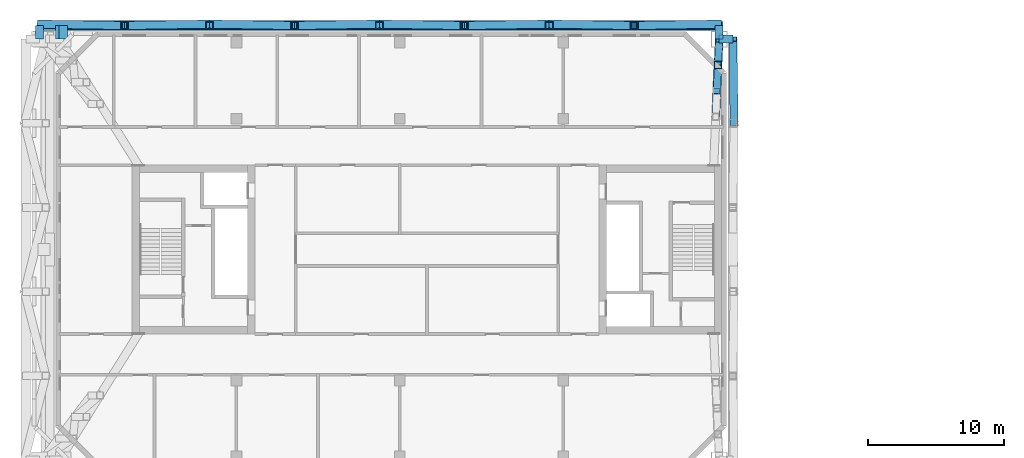
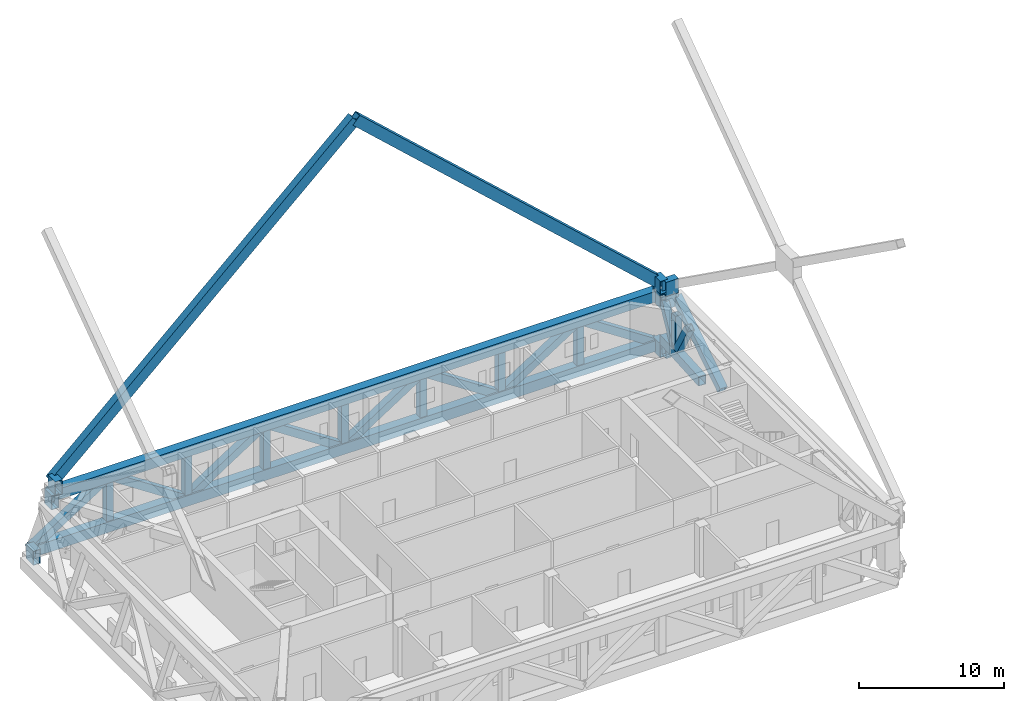
# One storey, part 3 of 22: 21 members, 12 beams.
"""IFC4 building model written with IfcOpenShell, lengths in metres."""

from ifc_helpers import new_model, si_unit, direction, frame, origin, origin_2d, place, context, subcontext, project, spatial, hollow_rectangle, extrude, material, material_profile, profile_set, type_object, element, save


model = new_model("IFC4")

# Units and contexts
model_context = context("Model", 3, precision=1e-05, world=origin(), true_north=direction((0.0, 1.0)))
body_context = subcontext(model_context, "Body", "Model", "MODEL_VIEW")
ifc_project = project(units=[si_unit("LENGTHUNIT", "METRE"), si_unit("AREAUNIT", "SQUARE_METRE"), si_unit("VOLUMEUNIT", "CUBIC_METRE"), si_unit("PLANEANGLEUNIT", "RADIAN"), si_unit("MASSUNIT", "GRAM", prefix="KILO")], contexts=[model_context])

# Site, building, storey
site_placement = place(None, origin())
site = spatial("IfcSite", under=ifc_project, at=site_placement, CompositionType="ELEMENT")
building_placement = place(site_placement, origin())
building = spatial("IfcBuilding", under=site, at=building_placement, Name="Tuart Gate Housing", CompositionType="ELEMENT")
storey_placement = place(building_placement, frame((0.0, 0.0, 115.0)))
storey = spatial("IfcBuildingStorey", under=building, at=storey_placement, Name="L32", CompositionType="ELEMENT", Elevation=115.0)

# Beam
ifc_material_1 = material(Name="Steel Grade 350", Category="steel")
ifc_material_profile_1 = material_profile(ifc_material_1, hollow_rectangle(XDim=0.699951171875, YDim=0.89990234375, WallThickness=0.0400390625, at=origin_2d()), Name="BOX 900x700x40")
ifc_profile_set_1 = profile_set([ifc_material_profile_1], Name="Steel Grade 350")
beam_type_1 = type_object("IfcBeamType", Name="Belt truss chord BOX 900x700x40 (40.9-51.9 m)", PredefinedType="BEAM", material=ifc_profile_set_1)
beam_1_placement = place(storey_placement, frame((27.00830078125, 86.449951171875, 3.75), z_axis=(1.0, 0.0, 0.0), x_axis=(0.0, 1.0, 0.0)))
element("IfcBeam", 1, at=beam_1_placement, inside=storey, type_object=beam_type_1, Name="Belt truss top chord A north L32", PredefinedType="BEAM", context=body_context, shape_type="SweptSolid", body=[
    extrude(hollow_rectangle(XDim=0.699951171875, YDim=0.89990234375, WallThickness=0.0400390625, at=origin_2d()), origin(), (0.0, 0.0, 1.0), 48.441650390625),
])

# Members
ifc_material_2 = material(Name="Steel Grade 350", Category="steel")
ifc_material_profile_2 = material_profile(ifc_material_2, hollow_rectangle(XDim=0.60009765625, YDim=0.60009765625, WallThickness=0.031982421875, at=origin_2d()), Name="BOX 600x600x32")
ifc_profile_set_2 = profile_set([ifc_material_profile_2], Name="Steel Grade 350")
member_type_1 = type_object("IfcMemberType", Name="Belt truss diagonal BOX 600x600x32", PredefinedType="BRACE", material=ifc_profile_set_2)
member_1_placement = place(storey_placement, frame((25.550048828125, 86.550048828125, -0.39990234375), z_axis=(0.832497021316, -0.013359574885, 0.553868424139), x_axis=(0.016045528886, 0.999871262215, 0.0)))
element("IfcMember", 2, at=member_1_placement, inside=storey, type_object=member_type_1, Name="Belt truss diagonal A north 0 L32", PredefinedType="BRACE", context=body_context, shape_type="SweptSolid", body=[
    extrude(hollow_rectangle(XDim=0.60009765625, YDim=0.60009765625, WallThickness=0.031982421875, at=origin_2d()), origin(), (0.0, 0.0, 1.0), 7.49267578125),
])
member_2_placement = place(storey_placement, frame((31.78759765625, 86.449951171875, 3.75), z_axis=(0.832487019192, 0.013359937289, -0.553883448889), x_axis=(-0.016046156778, 0.999871252138, 0.0)))
element("IfcMember", 3, at=member_2_placement, inside=storey, type_object=member_type_1, Name="Belt truss diagonal A north 1 L32", PredefinedType="BRACE", context=body_context, shape_type="SweptSolid", body=[
    extrude(hollow_rectangle(XDim=0.60009765625, YDim=0.60009765625, WallThickness=0.031982421875, at=origin_2d()), origin(), (0.0, 0.0, 1.0), 7.492431640625),
])
for number, where, z_axis, x_axis, name in (
    (4, (38.02490234375, 86.550048828125, -0.39990234375), (0.832497021316, -0.013359574885, 0.553868424139), (0.016045528886, 0.999871262215, 0.0), "Belt truss diagonal A north 2 L32"),
    (5, (44.262451171875, 86.449951171875, 3.75), (0.832497021316, 0.013359574885, -0.553868424139), (-0.016045528886, 0.999871262215, 0.0), "Belt truss diagonal A north 3 L32"),
    (6, (50.5, 86.550048828125, -0.39990234375), (0.832497021316, -0.013359574885, 0.553868424139), (0.016045528886, 0.999871262215, 0.0), "Belt truss diagonal A north 4 L32"),
    (7, (56.737548828125, 86.449951171875, 3.75), (0.832497021316, 0.013359574885, -0.553868424139), (-0.016045528886, 0.999871262215, 0.0), "Belt truss diagonal A north 5 L32"),
):
    element("IfcMember", number, at=place(storey_placement, frame(where, z_axis=z_axis, x_axis=x_axis)), inside=storey, type_object=member_type_1, Name=name, PredefinedType="BRACE", context=body_context, shape_type="SweptSolid", body=[
        extrude(hollow_rectangle(XDim=0.60009765625, YDim=0.60009765625, WallThickness=0.031982421875, at=origin_2d()), origin(), (0.0, 0.0, 1.0), 7.49267578125),
    ])
member_3_placement = place(storey_placement, frame((62.97509765625, 86.550048828125, -0.39990234375), z_axis=(0.832487019192, -0.013359937289, 0.553883448889), x_axis=(0.016046156778, 0.999871252138, 0.0)))
element("IfcMember", 8, at=member_3_placement, inside=storey, type_object=member_type_1, Name="Belt truss diagonal A north 6 L32", PredefinedType="BRACE", context=body_context, shape_type="SweptSolid", body=[
    extrude(hollow_rectangle(XDim=0.60009765625, YDim=0.60009765625, WallThickness=0.031982421875, at=origin_2d()), origin(), (0.0, 0.0, 1.0), 7.492431640625),
])
member_4_placement = place(storey_placement, frame((69.21240234375, 86.449951171875, 3.75), z_axis=(0.832497021316, 0.013359574885, -0.553868424139), x_axis=(-0.016045528886, 0.999871262215, 0.0)))
element("IfcMember", 9, at=member_4_placement, inside=storey, type_object=member_type_1, Name="Belt truss diagonal A north 7 L32", PredefinedType="BRACE", context=body_context, shape_type="SweptSolid", body=[
    extrude(hollow_rectangle(XDim=0.60009765625, YDim=0.60009765625, WallThickness=0.031982421875, at=origin_2d()), origin(), (0.0, 0.0, 1.0), 7.49267578125),
])
member_5_placement = place(storey_placement, frame((76.550048828125, 79.27001953125, -0.39990234375), z_axis=(-0.013445527925, 0.830113776504, 0.55743191139), x_axis=(-0.999868850984, -0.016195086671, 0.0)))
element("IfcMember", 10, at=member_5_placement, inside=storey, type_object=member_type_1, Name="Belt truss diagonal A east 4 L32", PredefinedType="BRACE", context=body_context, shape_type="SweptSolid", body=[
    extrude(hollow_rectangle(XDim=0.60009765625, YDim=0.60009765625, WallThickness=0.031982421875, at=origin_2d()), origin(), (0.0, 0.0, 1.0), 7.444580078125),
])
ifc_material_3 = material(Name="Steel Grade 350", Category="steel")
ifc_material_profile_3 = material_profile(ifc_material_3, hollow_rectangle(XDim=0.56005859375, YDim=0.56005859375, WallThickness=0.030029296875, at=origin_2d()), Name="BOX 560x560x30")
ifc_profile_set_3 = profile_set([ifc_material_profile_3], Name="Steel Grade 350")
member_type_2 = type_object("IfcMemberType", Name="Belt truss post BOX 560x560x30", PredefinedType="POST", material=ifc_profile_set_3)
for number, where, z_axis, x_axis, name in (
    (11, (31.78759765625, 86.449951171875, -0.39990234375), (0.0, 0.0, 1.0), (1.0, 0.0, 0.0), "Belt truss post A north 1 L32"),
    (12, (38.02490234375, 86.449951171875, -0.39990234375), (0.0, 0.0, 1.0), (1.0, 0.0, 0.0), "Belt truss post A north 2 L32"),
    (13, (44.262451171875, 86.449951171875, -0.39990234375), (0.0, 0.0, 1.0), (1.0, 0.0, 0.0), "Belt truss post A north 3 L32"),
    (14, (50.5, 86.449951171875, -0.39990234375), (0.0, 0.0, 1.0), (1.0, 0.0, 0.0), "Belt truss post A north 4 L32"),
    (15, (56.737548828125, 86.449951171875, -0.39990234375), (0.0, 0.0, 1.0), (1.0, 0.0, 0.0), "Belt truss post A north 5 L32"),
    (16, (62.97509765625, 86.449951171875, -0.39990234375), (0.0, 0.0, 1.0), (1.0, 0.0, 0.0), "Belt truss post A north 6 L32"),
    (17, (69.21240234375, 86.449951171875, -0.39990234375), (0.0, 0.0, 1.0), (1.0, 0.0, 0.0), "Belt truss post A north 7 L32"),
):
    element("IfcMember", number, at=place(storey_placement, frame(where, z_axis=z_axis, x_axis=x_axis)), inside=storey, type_object=member_type_2, Name=name, PredefinedType="POST", context=body_context, shape_type="SweptSolid", body=[
        extrude(hollow_rectangle(XDim=0.56005859375, YDim=0.56005859375, WallThickness=0.030029296875, at=origin_2d()), origin(), (0.0, 0.0, 1.0), 4.14990234375),
    ])

# Beams
ifc_material_4 = material(Name="Steel Grade 350", Category="steel")
ifc_material_profile_4 = material_profile(ifc_material_4, hollow_rectangle(XDim=0.60009765625, YDim=1.199951171875, WallThickness=0.0400390625, at=origin_2d()), Name="BOX 1200x600x40")
ifc_profile_set_4 = profile_set([ifc_material_profile_4], Name="Steel Grade 350")
beam_type_2 = type_object("IfcBeamType", Name="Brace shoe BOX 1200x600x40", PredefinedType="BEAM", material=ifc_profile_set_4)
for number, where, z_axis, x_axis, name in (
    (18, (25.550048828125, 85.449951171875, -0.39990234375), (0.0, 1.0, 0.0), (-1.0, 0.0, 0.0), "Mega tie beam A node 4 north shoe 0 L32"),
    (19, (75.449951171875, 85.449951171875, -0.39990234375), (0.0, 1.0, 0.0), (-1.0, 0.0, 0.0), "Mega tie beam A node 4 north shoe 1 L32"),
    (20, (75.449951171875, 85.449951171875, -0.39990234375), (1.0, 0.0, 0.0), (0.0, 1.0, 0.0), "Mega tie beam A node 4 east shoe 1 L32"),
    (21, (27.300048828125, 85.449951171875, 4.820068359375), (0.0, 1.0, 0.0), (-1.0, 0.0, 0.0), "Mega brace shoe A zone 5 north chevron 1"),
    (22, (75.449951171875, 85.449951171875, 4.820068359375), (0.0, 1.0, 0.0), (-1.0, 0.0, 0.0), "Mega brace shoe A zone 5 north chevron 2"),
    (23, (75.449951171875, 85.449951171875, 4.820068359375), (1.0, 0.0, 0.0), (0.0, 1.0, 0.0), "Mega brace shoe A zone 5 east cross 2"),
    (24, (27.00830078125, 85.449951171875, 3.75), (0.0, 1.0, 0.0), (-1.0, 0.0, 0.0), "Belt truss top chord A north shoe 0 L32"),
    (25, (75.449951171875, 85.449951171875, 3.75), (0.0, 1.0, 0.0), (-1.0, 0.0, 0.0), "Belt truss top chord A north shoe 1 L32"),
    (26, (75.449951171875, 85.449951171875, 3.75), (1.0, 0.0, 0.0), (0.0, 1.0, 0.0), "Belt truss top chord A east shoe 1 L32"),
):
    element("IfcBeam", number, at=place(storey_placement, frame(where, z_axis=z_axis, x_axis=x_axis)), inside=storey, type_object=beam_type_2, Name=name, PredefinedType="BEAM", context=body_context, shape_type="SweptSolid", body=[
        extrude(hollow_rectangle(XDim=0.60009765625, YDim=1.199951171875, WallThickness=0.0400390625, at=origin_2d()), origin(), (0.0, 0.0, 1.0), 1.0),
    ])

# Members
ifc_material_5 = material(Name="Steel Grade 350", Category="steel")
ifc_material_profile_5 = material_profile(ifc_material_5, hollow_rectangle(XDim=0.6201171875, YDim=0.85009765625, WallThickness=0.0419921875, at=origin_2d()), Name="BOX 850x620x42")
ifc_profile_set_5 = profile_set([ifc_material_profile_5], Name="Steel Grade 350")
member_type_3 = type_object("IfcMemberType", Name="Mega brace BOX 850x620x42", PredefinedType="BRACE", material=ifc_profile_set_5)
for number, where, z_axis, x_axis, name in (
    (27, (27.300048828125, 86.449951171875, 4.820068359375), (0.736984422723, 0.0, 0.675909728191), (0.0, 1.0, 0.0), "Mega brace A zone 5 north chevron 1"),
    (28, (75.449951171875, 86.449951171875, 4.820068359375), (-0.736984422723, 0.0, 0.675909728191), (0.0, -1.0, 0.0), "Mega brace A zone 5 north chevron 2"),
):
    element("IfcMember", number, at=place(storey_placement, frame(where, z_axis=z_axis, x_axis=x_axis)), inside=storey, type_object=member_type_3, Name=name, PredefinedType="BRACE", context=body_context, shape_type="SweptSolid", body=[
        extrude(hollow_rectangle(XDim=0.6201171875, YDim=0.85009765625, WallThickness=0.0419921875, at=origin_2d()), origin(), (0.0, 0.0, 1.0), 32.666748046875),
    ])

# Beam
ifc_material_6 = material(Name="Steel Grade 350", Category="steel")
ifc_material_profile_6 = material_profile(ifc_material_6, hollow_rectangle(XDim=0.60009765625, YDim=0.800048828125, WallThickness=0.0400390625, at=origin_2d()), Name="BOX 800x600x40")
ifc_profile_set_6 = profile_set([ifc_material_profile_6], Name="Steel Grade 350")
beam_type_3 = type_object("IfcBeamType", Name="Outrigger chord BOX 800x600x40", PredefinedType="BEAM", material=ifc_profile_set_6)
beam_2_placement = place(storey_placement, frame((75.2041015625, 79.75, 0.550048828125), z_axis=(0.043091815399, 0.99907111631, 0.0), x_axis=(-0.99907111631, 0.043091815399, 0.0)))
element("IfcBeam", 29, at=beam_2_placement, inside=storey, type_object=beam_type_3, Name="Outrigger bottom chord AG north 0 L32", PredefinedType="BEAM", context=body_context, shape_type="SweptSolid", body=[
    extrude(hollow_rectangle(XDim=0.60009765625, YDim=0.800048828125, WallThickness=0.0400390625, at=origin_2d()), origin(), (0.0, 0.0, 1.0), 5.705322265625),
])

# Members
ifc_material_7 = material(Name="Steel Grade 350", Category="steel")
ifc_material_profile_7 = material_profile(ifc_material_7, hollow_rectangle(XDim=0.5400390625, YDim=0.5400390625, WallThickness=0.030029296875, at=origin_2d()), Name="BOX 540x540x30")
ifc_profile_set_7 = profile_set([ifc_material_profile_7], Name="Steel Grade 350")
member_type_4 = type_object("IfcMemberType", Name="Outrigger diagonal BOX 540x540x30", PredefinedType="BRACE", material=ifc_profile_set_7)
member_6_placement = place(storey_placement, frame((75.285888671875, 81.64990234375, 3.800048828125), z_axis=(0.021784344401, 0.504605810923, -0.863074978158), x_axis=(-0.999069432334, 0.043130840198, 0.0)))
element("IfcMember", 30, at=member_6_placement, inside=storey, type_object=member_type_4, Name="Outrigger diagonal AG north 3 L32", PredefinedType="BRACE", context=body_context, shape_type="SweptSolid", body=[
    extrude(hollow_rectangle(XDim=0.5400390625, YDim=0.5400390625, WallThickness=0.030029296875, at=origin_2d()), origin(), (0.0, 0.0, 1.0), 3.765625),
])
member_7_placement = place(storey_placement, frame((75.367919921875, 83.550048828125, 0.550048828125), z_axis=(0.021785057082, 0.504557482773, 0.863103213913), x_axis=(-0.999069193493, 0.043136372271, 0.0)))
element("IfcMember", 31, at=member_7_placement, inside=storey, type_object=member_type_4, Name="Outrigger diagonal AG north 4 L32", PredefinedType="BRACE", context=body_context, shape_type="SweptSolid", body=[
    extrude(hollow_rectangle(XDim=0.5400390625, YDim=0.5400390625, WallThickness=0.030029296875, at=origin_2d()), origin(), (0.0, 0.0, 1.0), 3.765380859375),
])
ifc_material_8 = material(Name="Steel Grade 350", Category="steel")
ifc_material_profile_8 = material_profile(ifc_material_8, hollow_rectangle(XDim=0.52001953125, YDim=0.52001953125, WallThickness=0.028076171875, at=origin_2d()), Name="BOX 520x520x28")
ifc_profile_set_8 = profile_set([ifc_material_profile_8], Name="Steel Grade 350")
member_type_5 = type_object("IfcMemberType", Name="Outrigger post BOX 520x520x28", PredefinedType="POST", material=ifc_profile_set_8)
member_8_placement = place(storey_placement, frame((75.367919921875, 83.550048828125, 0.550048828125), z_axis=(0.0, 0.0, 1.0), x_axis=(1.0, 0.0, 0.0)))
element("IfcMember", 32, at=member_8_placement, inside=storey, type_object=member_type_5, Name="Outrigger post AG north 4 L32", PredefinedType="POST", context=body_context, shape_type="SweptSolid", body=[
    extrude(hollow_rectangle(XDim=0.52001953125, YDim=0.52001953125, WallThickness=0.028076171875, at=origin_2d()), origin(), (0.0, 0.0, 1.0), 3.25),
])

# Beam
ifc_material_9 = material(Name="Steel Grade 350", Category="steel")
ifc_material_profile_9 = material_profile(ifc_material_9, hollow_rectangle(XDim=0.699951171875, YDim=0.89990234375, WallThickness=0.0400390625, at=origin_2d()), Name="BOX 900x700x40")
ifc_profile_set_9 = profile_set([ifc_material_profile_9], Name="Steel Grade 350")
beam_type_4 = type_object("IfcBeamType", Name="Tie beam BOX 900x700x40 (40.6-51.7 m)", PredefinedType="BEAM", material=ifc_profile_set_9)
beam_3_placement = place(storey_placement, frame((25.550048828125, 86.449951171875, -0.39990234375), z_axis=(1.0, 0.0, 0.0), x_axis=(0.0, 1.0, 0.0)))
element("IfcBeam", 33, at=beam_3_placement, inside=storey, type_object=beam_type_4, Name="Mega tie beam A node 4 north L32", PredefinedType="BEAM", context=body_context, shape_type="SweptSolid", body=[
    extrude(hollow_rectangle(XDim=0.699951171875, YDim=0.89990234375, WallThickness=0.0400390625, at=origin_2d()), origin(), (0.0, 0.0, 1.0), 49.89990234375),
])

save(model, "model.ifc")
